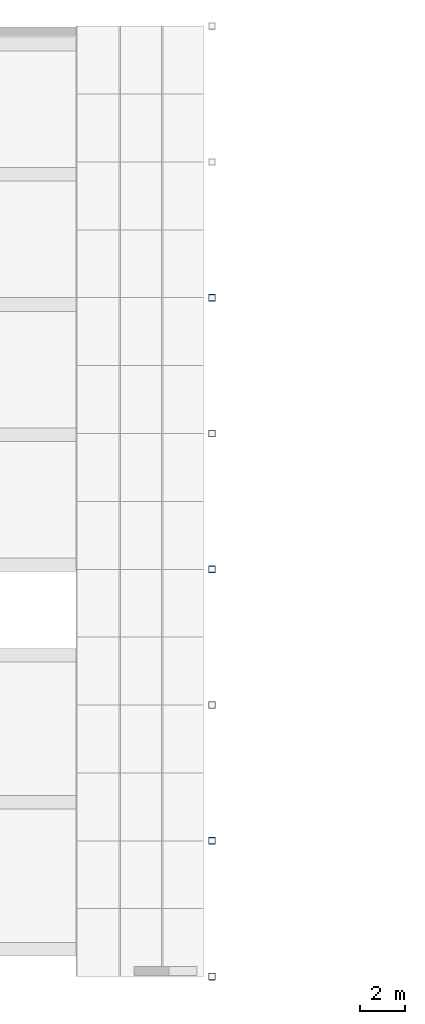
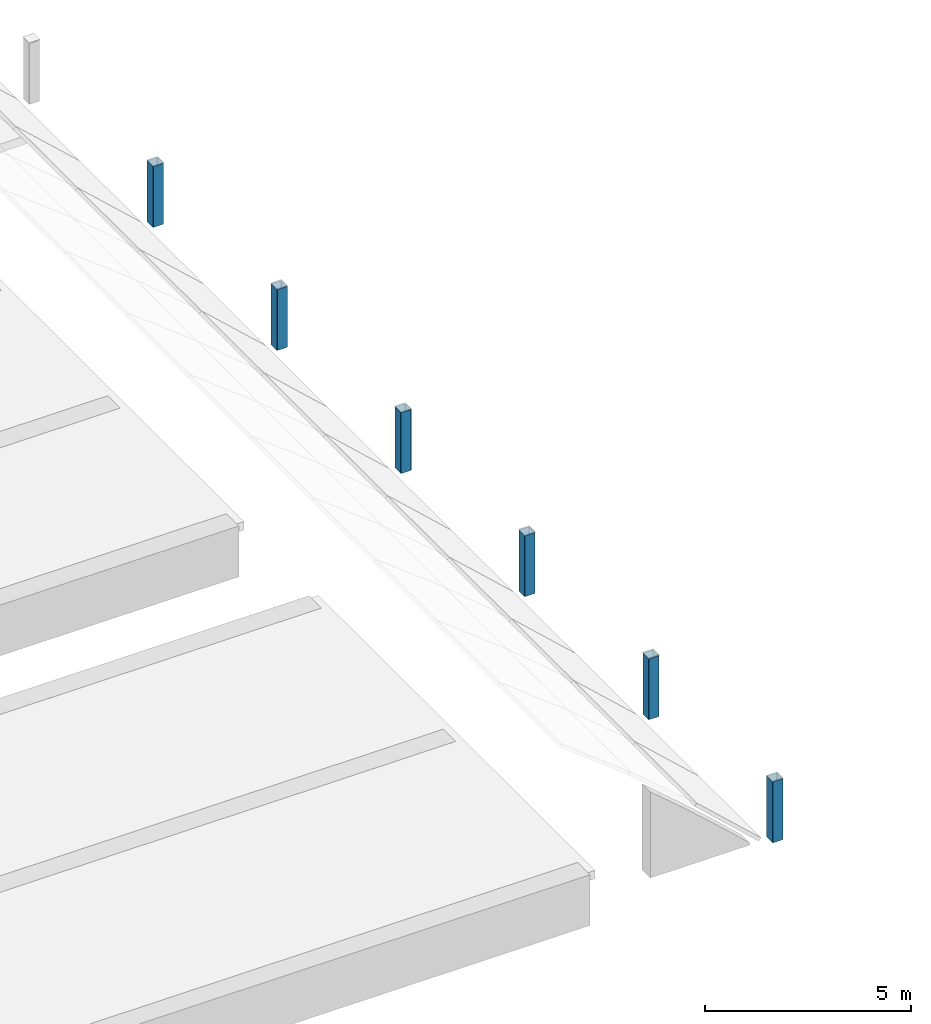
# One storey, part 2 of 89: 6 columns.
"""IFC4 building model written with IfcOpenShell, lengths in metres."""

from ifc_helpers import new_model, si_unit, direction, frame, origin, origin_2d, place, context, subcontext, project, spatial, hollow_rectangle, extrude, material, material_profile, profile_set, type_object, element, save


model = new_model("IFC4")

# Units and contexts
model_context = context("Model", 3, precision=1e-05, world=origin(), true_north=direction((0.0, 1.0)))
body_context = subcontext(model_context, "Body", "Model", "MODEL_VIEW")
ifc_project = project(units=[si_unit("LENGTHUNIT", "METRE"), si_unit("AREAUNIT", "SQUARE_METRE"), si_unit("VOLUMEUNIT", "CUBIC_METRE"), si_unit("PLANEANGLEUNIT", "RADIAN"), si_unit("MASSUNIT", "GRAM", prefix="KILO")], contexts=[model_context])

# Site, building, storey
site_placement = place(None, origin())
site = spatial("IfcSite", under=ifc_project, at=site_placement, CompositionType="ELEMENT")
building_placement = place(site_placement, origin())
building = spatial("IfcBuilding", under=site, at=building_placement, Name="Lantern Court Media Centre", CompositionType="ELEMENT")
storey_placement = place(building_placement, frame((0.0, 0.0, 14.39990234375)))
storey = spatial("IfcBuildingStorey", under=building, at=storey_placement, Name="L03", CompositionType="ELEMENT", Elevation=14.39990234375)

# Columns
ifc_material = material(Name="Steel S355J2 (EN 10025-2)", Category="steel")
ifc_material_profile = material_profile(ifc_material, hollow_rectangle(XDim=0.300048828125, YDim=0.300048828125, WallThickness=0.012451171875, InnerFilletRadius=0.012451171875, OuterFilletRadius=0.018798828125, at=origin_2d()), Name="Cinema Hall buttress pinnacle SHS 300x12.5")
ifc_profile_set = profile_set([ifc_material_profile], Name="Steel S355J2 (EN 10025-2)")
column_type = type_object("IfcColumnType", Name="Cinema Hall buttress pinnacle SHS 300x12.5", PredefinedType="COLUMN", material=ifc_profile_set)
for number, where, z_axis, x_axis, name in (
    (1, (32.4501953125, -2.0, 0.0), (0.0, 0.0, 1.0), (1.0, 0.0, 0.0), "Cinema Hall pinnacle east 1"),
    (2, (32.4501953125, 4.0, 0.0), (0.0, 0.0, 1.0), (1.0, 0.0, 0.0), "Cinema Hall pinnacle east 2"),
    (3, (32.4501953125, 10.0, 0.0), (0.0, 0.0, 1.0), (1.0, 0.0, 0.0), "Cinema Hall pinnacle east 3"),
    (4, (32.4501953125, 16.0, 0.0), (0.0, 0.0, 1.0), (1.0, 0.0, 0.0), "Cinema Hall pinnacle east 4"),
    (5, (32.4501953125, 22.0, 0.0), (0.0, 0.0, 1.0), (1.0, 0.0, 0.0), "Cinema Hall pinnacle east 5"),
    (6, (32.4501953125, 28.0, 0.0), (0.0, 0.0, 1.0), (1.0, 0.0, 0.0), "Cinema Hall pinnacle east 6"),
):
    element("IfcColumn", number, at=place(storey_placement, frame(where, z_axis=z_axis, x_axis=x_axis)), inside=storey, type_object=column_type, Name=name, PredefinedType="COLUMN", context=body_context, shape_type="SweptSolid", body=[
        extrude(hollow_rectangle(XDim=0.300048828125, YDim=0.300048828125, WallThickness=0.012451171875, InnerFilletRadius=0.012451171875, OuterFilletRadius=0.018798828125, at=origin_2d()), origin(), (0.0, 0.0, 1.0), 1.800048828125),
    ])

save(model, "model.ifc")
